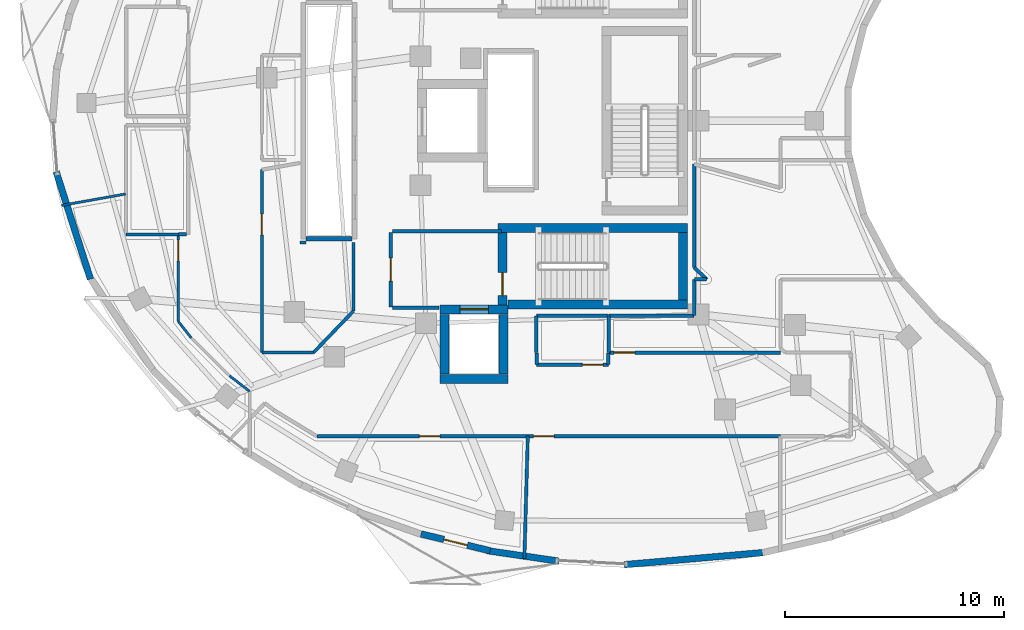
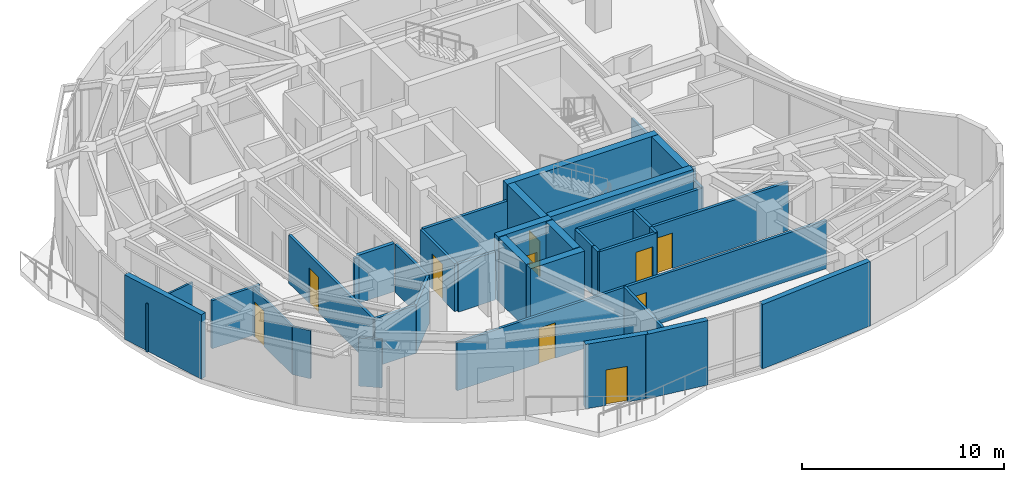
# One storey, part 7 of 14: 42 walls, 10 doors, 10 openings.
"""IFC4 building model written with IfcOpenShell, lengths in metres."""

import ifcopenshell
import ifcopenshell.guid

model = None  # the IFC model being written
_history = None  # IfcOwnerHistory: only IFC2X3 demands one
_inside = {}  # id of a spatial element -> (the spatial element, [elements in it])
_under = {}  # id of a project, library or spatial element -> (it, [spatial elements below it])
_declared = {}  # id of a project -> (the project, [libraries it declares])
_typed = {}  # id of a type object -> (the type object, [elements of that type])
_made_of = {}  # id of a material, layer set ... -> (it, [elements and type objects made of it])


def new_model(schema):
    """Start an empty IFC model of exactly this schema.

    Asked for "IFC4X3", IfcOpenShell would pick the latest addendum, in which some entities
    have other attributes; the version numbers below select the first issue.
    IFC2X3 requires an IfcOwnerHistory on every rooted entity: one is made here for all.
    """
    global model, _history
    if schema == "IFC4X3":
        model = ifcopenshell.file(schema_version=(4, 3, 0, 0))
    else:
        model = ifcopenshell.file(schema=schema)
    _inside.clear()
    _under.clear()
    _declared.clear()
    _typed.clear()
    _made_of.clear()
    _history = None
    if model.schema == "IFC2X3":
        org = make("IfcOrganization", Name="unknown")
        user = make(
            "IfcPersonAndOrganization",
            ThePerson=make("IfcPerson", FamilyName="unknown"),
            TheOrganization=org,
        )
        app = make(
            "IfcApplication",
            ApplicationDeveloper=org,
            Version="unknown",
            ApplicationFullName="unknown",
            ApplicationIdentifier="unknown",
        )
        _history = make(
            "IfcOwnerHistory",
            OwningUser=user,
            OwningApplication=app,
            ChangeAction="ADDED",
            CreationDate=0,
        )
    return model


def make(cls, **values):
    """One entity of the class cls with the attributes given. An attribute that is None is left unset."""
    return model.create_entity(
        cls, **{name: value for name, value in values.items() if value is not None}
    )


def rooted(cls, **values):
    """An entity with a GlobalId (a new one), such as an element, a storey or a relation."""
    return make(cls, GlobalId=ifcopenshell.guid.new(), OwnerHistory=_history, **values)


def si_unit(unit_type, name, prefix=None):
    """IfcSIUnit, for example si_unit("LENGTHUNIT", "METRE", prefix="MILLI")."""
    return make("IfcSIUnit", UnitType=unit_type, Prefix=prefix, Name=name)


def assignment(units):
    """IfcUnitAssignment: the units of a project."""
    return None if units is None else make("IfcUnitAssignment", Units=units)


def point(xyz):
    """IfcCartesianPoint."""
    return None if xyz is None else make("IfcCartesianPoint", Coordinates=xyz)


def direction(xyz):
    """IfcDirection."""
    return None if xyz is None else make("IfcDirection", DirectionRatios=xyz)


def frame(location, z_axis=None, x_axis=None):
    """IfcAxis2Placement3D, a coordinate frame: its origin and axes. An axis left out is left unset."""
    return make(
        "IfcAxis2Placement3D",
        Location=point(location),
        Axis=direction(z_axis),
        RefDirection=direction(x_axis),
    )


def frame_2d(location, x_axis=None):
    """IfcAxis2Placement2D, a coordinate frame in the plane: its origin and x axis."""
    return make(
        "IfcAxis2Placement2D", Location=point(location), RefDirection=direction(x_axis)
    )


def origin():
    """The frame at (0, 0, 0) with its axes left unset."""
    return frame((0.0, 0.0, 0.0))


def place(relative_to, where):
    """IfcLocalPlacement: puts the frame where relative to a parent placement (None: the world)."""
    return make(
        "IfcLocalPlacement", PlacementRelTo=relative_to, RelativePlacement=where
    )


def context(
    kind, dimensions, precision=None, world=None, true_north=None, identifier=None
):
    """IfcGeometricRepresentationContext, for example the 3D "Model" context."""
    return make(
        "IfcGeometricRepresentationContext",
        ContextIdentifier=identifier,
        ContextType=kind,
        CoordinateSpaceDimension=dimensions,
        Precision=precision,
        WorldCoordinateSystem=world,
        TrueNorth=true_north,
    )


def subcontext(parent, identifier, kind, view, scale=None):
    """IfcGeometricRepresentationSubContext, for example "Body" below "Model"."""
    return make(
        "IfcGeometricRepresentationSubContext",
        ContextIdentifier=identifier,
        ContextType=kind,
        ParentContext=parent,
        TargetScale=scale,
        TargetView=view,
    )


def project(units=None, contexts=None):
    """IfcProject with its units and contexts."""
    return rooted(
        "IfcProject",
        Name="project",
        RepresentationContexts=contexts,
        UnitsInContext=assignment(units),
    )


def spatial(cls, under=None, at=None, **own):
    """A site, building, storey or space (cls), placed at a placement, below another one or the project."""
    s = rooted(cls, ObjectPlacement=at, **own)
    if under is not None:
        _under.setdefault(under.id(), (under, []))[1].append(s)
    return s


def profile(cls, at=None, kind="AREA", **sizes):
    """A parametric profile (cls). Its sizes go by their IFC names, for example OverallWidth=200.0."""
    return make(cls, ProfileType=kind, Position=at, **sizes)


def rectangle(**sizes):
    """IfcRectangleProfileDef."""
    return profile("IfcRectangleProfileDef", **sizes)


def extrude(swept, where, along, depth):
    """IfcExtrudedAreaSolid: the profile swept, set in the frame where, extruded along a direction by depth."""
    return make(
        "IfcExtrudedAreaSolid",
        SweptArea=swept,
        Position=where,
        ExtrudedDirection=direction(along),
        Depth=depth,
    )


def shape(context_of_items, identifier, shape_type, items):
    """IfcShapeRepresentation: the items that make up one representation, for example the "Body"."""
    return make(
        "IfcShapeRepresentation",
        ContextOfItems=context_of_items,
        RepresentationIdentifier=identifier,
        RepresentationType=shape_type,
        Items=items,
    )


def material(Name=None, Category=None):
    """IfcMaterial."""
    return make("IfcMaterial", Name=Name, Category=Category)


def layer(
    of_material, thickness, ventilated=None, Name=None, Category=None, Priority=None
):
    """IfcMaterialLayer: one layer of a wall or slab, of a material (None: an air gap)."""
    return make(
        "IfcMaterialLayer",
        Material=of_material,
        LayerThickness=thickness,
        IsVentilated=ventilated,
        Name=Name,
        Category=Category,
        Priority=Priority,
    )


def layer_set(layers, Name=None):
    """IfcMaterialLayerSet."""
    return make("IfcMaterialLayerSet", MaterialLayers=layers, LayerSetName=Name)


def made_of(thing, what):
    """Note that an element or type object is made of a material, layer set ...; save() writes the relation."""
    if what is not None:
        _made_of.setdefault(what.id(), (what, []))[1].append(thing)
    return thing


def type_object(cls, material=None, **own):
    """A type object (cls), such as IfcWallType, which elements share."""
    return made_of(rooted(cls, **own), material)


def element(
    cls,
    number,
    at=None,
    inside=None,
    cuts=None,
    type_object=None,
    material=None,
    context=None,
    identifier="Body",
    shape_type=None,
    held_by="IfcProductDefinitionShape",
    body=None,
    shapes=None,
    **own,
):
    """One element of the class cls, such as IfcWall. Its Tag is "e" and its number.

    at: its placement. inside: the storey or other place that contains it. cuts: it is an
    opening in that element (IfcRelVoidsElement). A single representation is given by context,
    identifier, shape_type and body (its items); several are given by shapes. held_by: the class
    of the entity that holds the representations. save() writes the other relations.
    """
    e = rooted(cls, Tag="e%d" % number, ObjectPlacement=at, **own)
    if body is not None:
        shapes = [shape(context, identifier, shape_type, body)]
    if shapes is not None:
        e.Representation = make(held_by, Representations=shapes)
    if inside is not None:
        _inside.setdefault(inside.id(), (inside, []))[1].append(e)
    if cuts is not None:
        rooted(
            "IfcRelVoidsElement", RelatingBuildingElement=cuts, RelatedOpeningElement=e
        )
    if type_object is not None:
        _typed.setdefault(type_object.id(), (type_object, []))[1].append(e)
    return made_of(e, material)


def fill(opening, filler):
    """IfcRelFillsElement: the door or window that sits in an opening."""
    return rooted(
        "IfcRelFillsElement",
        RelatingOpeningElement=opening,
        RelatedBuildingElement=filler,
    )


def aggregate(whole, parts):
    """IfcRelAggregates: a whole, such as a stair, and the parts it consists of."""
    return rooted("IfcRelAggregates", RelatingObject=whole, RelatedObjects=parts)


def save(model, path):
    """Write the relations noted so far, then the file.

    IfcRelAggregates (storeys below a building ...), IfcRelContainedInSpatialStructure (elements
    in a storey), IfcRelDefinesByType, IfcRelAssociatesMaterial and IfcRelDeclares: one each for
    every whole, place, type object, material and project.
    """
    for whole, parts in _under.values():
        aggregate(whole, parts)
    for where, things in _inside.values():
        rooted(
            "IfcRelContainedInSpatialStructure",
            RelatedElements=things,
            RelatingStructure=where,
        )
    for kind, things in _typed.values():
        rooted("IfcRelDefinesByType", RelatedObjects=things, RelatingType=kind)
    for what, things in _made_of.values():
        rooted("IfcRelAssociatesMaterial", RelatedObjects=things, RelatingMaterial=what)
    for by, libraries in _declared.values():
        rooted("IfcRelDeclares", RelatingContext=by, RelatedDefinitions=libraries)
    model.write(path)


model = new_model("IFC4")

# Units and contexts
model_context = context("Model", 3, precision=1e-05, world=origin(), true_north=direction((0.0, 1.0)))
body_context = subcontext(model_context, "Body", "Model", "MODEL_VIEW")
ifc_project = project(units=[si_unit("LENGTHUNIT", "METRE"), si_unit("AREAUNIT", "SQUARE_METRE"), si_unit("VOLUMEUNIT", "CUBIC_METRE"), si_unit("PLANEANGLEUNIT", "RADIAN"), si_unit("MASSUNIT", "GRAM", prefix="KILO")], contexts=[model_context])

# Site, building, storey
site_placement = place(None, origin())
site = spatial("IfcSite", under=ifc_project, at=site_placement, CompositionType="ELEMENT")
building_placement = place(site_placement, origin())
building = spatial("IfcBuilding", under=site, at=building_placement, Name="Korentha Bioscience Tower", CompositionType="ELEMENT")
storey_placement = place(building_placement, frame((0.0, 0.0, 264.60009765625)))
storey = spatial("IfcBuildingStorey", under=building, at=storey_placement, Name="L61", CompositionType="ELEMENT", Elevation=264.60009765625)

# Wall, opening, door
ifc_material_1 = material(Name="Double-Stud Acoustic Gypsum", Category="gypsum")
ifc_layer_1 = layer(ifc_material_1, 0.14990234375, Name="Double-Stud Acoustic Gypsum")
ifc_layer_set_1 = layer_set([ifc_layer_1], Name="Double-Stud Acoustic Gypsum (IW-L150)")
wall_type_1 = type_object("IfcWallType", Name="Acoustic Laboratory Partition Wall 150", PredefinedType="PARTITIONING", material=ifc_layer_set_1)
wall_1_placement = place(storey_placement, frame((17.610107421875, 16.409912109375, 0.0), z_axis=(0.0, 0.0, 1.0), x_axis=(0.0, 1.0, 0.0)))
wall_1 = element("IfcWall", 1, at=wall_1_placement, inside=storey, type_object=wall_type_1, Name="L61 Research Colloquium Seminar Room 02 Entrance Wall", PredefinedType="PARTITIONING", context=body_context, shape_type="SweptSolid", body=[
    extrude(rectangle(XDim=8.352783203125, YDim=0.14990234375, at=frame_2d((4.17626953125, 0.0))), origin(), (0.0, 0.0, 1.0), 2.909912109375),
])
opening_1_placement = place(wall_1_placement, frame((5.371337890625, 0.0, 0.0)))
opening_1 = element("IfcOpeningElement", 2, at=opening_1_placement, cuts=wall_1, Name="Opening ID-10L", PredefinedType="OPENING", context=body_context, shape_type="SweptSolid", body=[
    extrude(rectangle(XDim=0.949951171875, YDim=2.14990234375, at=frame_2d((0.47509765625, 1.074951171875))), frame((0.0, 0.08984375, 0.0), z_axis=(0.0, -1.0, 0.0), x_axis=(1.0, 0.0, 0.0)), (0.0, 0.0, 1.0), 0.1796875),
])
ifc_material_2 = material(Name="Phenolic Laminate Timber Core", Category="wood")
door_type_1 = type_object("IfcDoorType", Name="Laboratory Single Leaf Door 950x2150 Left", OperationType="SINGLE_SWING_LEFT", PredefinedType="DOOR", material=ifc_material_2)
door_1_placement = place(opening_1_placement, origin())
door_1 = element("IfcDoor", 3, at=door_1_placement, inside=storey, type_object=door_type_1, Name="L61 Research Colloquium Seminar Room 02 Door", OperationType="SINGLE_SWING_LEFT", OverallHeight=2.14990234375, OverallWidth=0.949951171875, PredefinedType="DOOR", context=body_context, shape_type="SweptSolid", body=[
    extrude(rectangle(XDim=0.949951171875, YDim=2.14990234375, at=frame_2d((0.47509765625, 1.074951171875))), frame((0.0, 0.02490234375, 0.0), z_axis=(0.0, -1.0, 0.0), x_axis=(1.0, 0.0, 0.0)), (0.0, 0.0, 1.0), 0.050048828125),
])
fill(opening_1, door_1)

wall_2_placement = place(storey_placement, frame((20.114013671875, 12.590087890625, 0.0), z_axis=(0.0, 0.0, 1.0), x_axis=(1.0, 0.0, 0.0)))
wall_2 = element("IfcWall", 4, at=wall_2_placement, inside=storey, type_object=wall_type_1, Name="L61 Staff Pantry Kitchenette 03 Entrance Wall", PredefinedType="PARTITIONING", context=body_context, shape_type="SweptSolid", body=[
    extrude(rectangle(XDim=9.640869140625, YDim=0.14990234375, at=frame_2d((4.8203125, 0.0))), origin(), (0.0, 0.0, 1.0), 2.909912109375),
])
opening_2_placement = place(wall_2_placement, frame((4.689453125, 0.0, 0.0)))
opening_2 = element("IfcOpeningElement", 5, at=opening_2_placement, cuts=wall_2, Name="Opening ID-10R", PredefinedType="OPENING", context=body_context, shape_type="SweptSolid", body=[
    extrude(rectangle(XDim=0.949951171875, YDim=2.14990234375, at=frame_2d((0.47509765625, 1.074951171875))), frame((0.0, 0.08984375, 0.0), z_axis=(0.0, -1.0, 0.0), x_axis=(1.0, 0.0, 0.0)), (0.0, 0.0, 1.0), 0.1796875),
])
door_type_2 = type_object("IfcDoorType", Name="Laboratory Single Leaf Door 950x2150 Right", OperationType="SINGLE_SWING_RIGHT", PredefinedType="DOOR", material=ifc_material_2)
door_2_placement = place(opening_2_placement, origin())
door_2 = element("IfcDoor", 6, at=door_2_placement, inside=storey, type_object=door_type_2, Name="L61 Staff Pantry Kitchenette 03 Door", OperationType="SINGLE_SWING_RIGHT", OverallHeight=2.14990234375, OverallWidth=0.949951171875, PredefinedType="DOOR", context=body_context, shape_type="SweptSolid", body=[
    extrude(rectangle(XDim=0.949951171875, YDim=2.14990234375, at=frame_2d((0.47509765625, 1.074951171875))), frame((0.0, 0.02490234375, 0.0), z_axis=(0.0, -1.0, 0.0), x_axis=(1.0, 0.0, 0.0)), (0.0, 0.0, 1.0), 0.050048828125),
])
fill(opening_2, door_2)

# Walls
wall_3_placement = place(storey_placement, frame((14.162109375, 21.81005859375, 0.0), z_axis=(0.0, 0.0, 1.0), x_axis=(-1.0, 0.0, 0.0)))
element("IfcWall", 7, at=wall_3_placement, inside=storey, type_object=wall_type_1, Name="L61 Interior Partition 023", PredefinedType="PARTITIONING", context=body_context, shape_type="SweptSolid", body=[
    extrude(rectangle(XDim=0.362060546875, YDim=0.14990234375, at=frame_2d((0.18115234375, 0.0))), origin(), (0.0, 0.0, 1.0), 2.909912109375),
])
wall_4_placement = place(storey_placement, frame((13.7900390625, 21.800048828125, 0.0), z_axis=(0.0, 0.0, 1.0), x_axis=(-1.0, 0.0, 0.0)))
element("IfcWall", 8, at=wall_4_placement, inside=storey, type_object=wall_type_1, Name="L61 Interior Partition 024", PredefinedType="PARTITIONING", context=body_context, shape_type="SweptSolid", body=[
    extrude(rectangle(XDim=2.39013671875, YDim=0.14990234375, at=frame_2d((1.195068359375, 0.0))), origin(), (0.0, 0.0, 1.0), 2.909912109375),
])
wall_5_placement = place(storey_placement, frame((19.35009765625, 21.43994140625, 0.0), z_axis=(0.0, 0.0, 1.0), x_axis=(1.0, 0.0, 0.0)))
element("IfcWall", 9, at=wall_5_placement, inside=storey, type_object=wall_type_1, Name="L61 Interior Partition 037", PredefinedType="PARTITIONING", context=body_context, shape_type="SweptSolid", body=[
    extrude(rectangle(XDim=0.27001953125, YDim=0.14990234375, at=frame_2d((0.135009765625, 0.0))), origin(), (0.0, 0.0, 1.0), 2.909912109375),
])
wall_6_placement = place(storey_placement, frame((21.7900390625, 21.43994140625, 0.0), z_axis=(0.0, 0.0, 1.0), x_axis=(0.0, -1.0, 0.0)))
element("IfcWall", 10, at=wall_6_placement, inside=storey, type_object=wall_type_1, Name="L61 Interior Partition 038", PredefinedType="PARTITIONING", context=body_context, shape_type="SweptSolid", body=[
    extrude(rectangle(XDim=3.13427734375, YDim=0.14990234375, at=frame_2d((1.567138671875, 0.0))), origin(), (0.0, 0.0, 1.0), 2.909912109375),
])
wall_7_placement = place(storey_placement, frame((21.7900390625, 18.3056640625, 0.0), z_axis=(0.0, 0.0, 1.0), x_axis=(-0.693381280986, -0.720570884215, 0.0)))
element("IfcWall", 11, at=wall_7_placement, inside=storey, type_object=wall_type_1, Name="L61 Interior Partition 039", PredefinedType="PARTITIONING", context=body_context, shape_type="SweptSolid", body=[
    extrude(rectangle(XDim=2.630859375, YDim=0.14990234375, at=frame_2d((1.3154296875, 0.0))), origin(), (0.0, 0.0, 1.0), 2.909912109375),
])
wall_8_placement = place(storey_placement, frame((19.9658203125, 16.409912109375, 0.0), z_axis=(0.0, 0.0, 1.0), x_axis=(-1.0, 0.0, 0.0)))
element("IfcWall", 12, at=wall_8_placement, inside=storey, type_object=wall_type_1, Name="L61 Interior Partition 040", PredefinedType="PARTITIONING", context=body_context, shape_type="SweptSolid", body=[
    extrude(rectangle(XDim=2.355712890625, YDim=0.14990234375, at=frame_2d((1.177734375, 0.0))), origin(), (0.0, 0.0, 1.0), 2.909912109375),
])
wall_9_placement = place(storey_placement, frame((29.7548828125, 12.590087890625, 0.0), z_axis=(0.0, 0.0, 1.0), x_axis=(-0.02789409051, -0.999610884152, 0.0)))
element("IfcWall", 13, at=wall_9_placement, inside=storey, type_object=wall_type_1, Name="L61 Interior Partition 046", PredefinedType="PARTITIONING", context=body_context, shape_type="SweptSolid", body=[
    extrude(rectangle(XDim=5.6015625, YDim=0.14990234375, at=frame_2d((2.80078125, 0.0))), origin(), (0.0, 0.0, 1.0), 2.909912109375),
])

# Wall, opening, door
ifc_material_3 = material(Name="Fire-Rated Framed Glass", Category="glass")
ifc_layer_2 = layer(ifc_material_3, 0.110107421875, Name="Fire-Rated Framed Glass")
ifc_layer_set_2 = layer_set([ifc_layer_2], Name="Fire-Rated Framed Glass (IW-G110)")
wall_type_2 = type_object("IfcWallType", Name="Demountable Glazed Office Partition 110", PredefinedType="MOVABLE", material=ifc_layer_set_2)
wall_10_placement = place(storey_placement, frame((13.7900390625, 21.7900390625, 0.0), z_axis=(0.0, 0.0, 1.0), x_axis=(0.0, -1.0, 0.0)))
wall_10 = element("IfcWall", 14, at=wall_10_placement, inside=storey, type_object=wall_type_2, Name="L61 Principal Investigator Office 01 Entrance Wall", PredefinedType="MOVABLE", context=body_context, shape_type="SweptSolid", body=[
    extrude(rectangle(XDim=3.954833984375, YDim=0.110107421875, at=frame_2d((1.9775390625, 0.0))), origin(), (0.0, 0.0, 1.0), 2.909912109375),
])
opening_3_placement = place(wall_10_placement, frame((0.239990234375, 0.0, 0.0)))
opening_3 = element("IfcOpeningElement", 15, at=opening_3_placement, cuts=wall_10, Name="Opening ID-10R", PredefinedType="OPENING", context=body_context, shape_type="SweptSolid", body=[
    extrude(rectangle(XDim=0.949951171875, YDim=2.14990234375, at=frame_2d((0.47509765625, 1.074951171875))), frame((0.0, 0.06982421875, 0.0), z_axis=(0.0, -1.0, 0.0), x_axis=(1.0, 0.0, 0.0)), (0.0, 0.0, 1.0), 0.139892578125),
])
door_3_placement = place(opening_3_placement, origin())
door_3 = element("IfcDoor", 16, at=door_3_placement, inside=storey, type_object=door_type_2, Name="L61 Principal Investigator Office 01 Door", OperationType="SINGLE_SWING_RIGHT", OverallHeight=2.14990234375, OverallWidth=0.949951171875, PredefinedType="DOOR", context=body_context, shape_type="SweptSolid", body=[
    extrude(rectangle(XDim=0.949951171875, YDim=2.14990234375, at=frame_2d((0.47509765625, 1.074951171875))), frame((0.0, 0.02490234375, 0.0), z_axis=(0.0, -1.0, 0.0), x_axis=(1.0, 0.0, 0.0)), (0.0, 0.0, 1.0), 0.050048828125),
])
fill(opening_3, door_3)

# Walls
wall_11_placement = place(storey_placement, frame((8.458251953125, 23.13232421875, 0.0), z_axis=(0.0, 0.0, 1.0), x_axis=(0.984502480413, 0.175370653365, 0.0)))
element("IfcWall", 17, at=wall_11_placement, inside=storey, type_object=wall_type_2, Name="L61 Interior Partition 031", PredefinedType="MOVABLE", context=body_context, shape_type="SweptSolid", body=[
    extrude(rectangle(XDim=2.977783203125, YDim=0.110107421875, at=frame_2d((1.48876953125, 0.0))), origin(), (0.0, 0.0, 1.0), 2.909912109375),
])
wall_12_placement = place(storey_placement, frame((13.7919921875, 17.8291015625, 0.0), z_axis=(0.0, 0.0, 1.0), x_axis=(0.615841557122, -0.787870025145, 0.0)))
element("IfcWall", 18, at=wall_12_placement, inside=storey, type_object=wall_type_2, Name="L61 Interior Partition 032", PredefinedType="MOVABLE", context=body_context, shape_type="SweptSolid", body=[
    extrude(rectangle(XDim=0.95947265625, YDim=0.110107421875, at=frame_2d((0.479736328125, 0.0))), origin(), (0.0, 0.0, 1.0), 2.909912109375),
])
wall_13_placement = place(storey_placement, frame((16.128173828125, 15.348876953125, 0.0), z_axis=(0.0, 0.0, 1.0), x_axis=(0.790536936783, -0.612414362651, 0.0)))
element("IfcWall", 19, at=wall_13_placement, inside=storey, type_object=wall_type_2, Name="L61 Interior Partition 034", PredefinedType="MOVABLE", context=body_context, shape_type="SweptSolid", body=[
    extrude(rectangle(XDim=1.16357421875, YDim=0.110107421875, at=frame_2d((0.581787109375, 0.0))), origin(), (0.0, 0.0, 1.0), 2.909912109375),
])

# Wall, opening, door
ifc_material_4 = material(Name="Gypsum-Clad Steel Stud", Category="steel")
ifc_layer_3 = layer(ifc_material_4, 0.159912109375, Name="Gypsum-Clad Steel Stud")
ifc_layer_set_3 = layer_set([ifc_layer_3], Name="Gypsum-Clad Steel Stud (IW-C160)")
wall_type_3 = type_object("IfcWallType", Name="Fire-Rated Corridor Partition Wall 160", PredefinedType="PARTITIONING", material=ifc_layer_set_3)
wall_14_placement = place(storey_placement, frame((23.5, 18.5, 0.0), z_axis=(0.0, 0.0, 1.0), x_axis=(0.0, 1.0, 0.0)))
wall_14 = element("IfcWall", 20, at=wall_14_placement, inside=storey, type_object=wall_type_3, Name="L61 FFLS-CW Rated Enclosure Wall", PredefinedType="PARTITIONING", context=body_context, shape_type="SweptSolid", body=[
    extrude(rectangle(XDim=3.39990234375, YDim=0.159912109375, at=frame_2d((1.699951171875, 0.0))), origin(), (0.0, 0.0, 1.0), 2.909912109375),
])
opening_4_placement = place(wall_14_placement, frame((1.175048828125, 0.0, 0.0)))
opening_4 = element("IfcOpeningElement", 21, at=opening_4_placement, cuts=wall_14, Name="Opening FD-90R", PredefinedType="OPENING", context=body_context, shape_type="SweptSolid", body=[
    extrude(rectangle(XDim=1.050048828125, YDim=2.14990234375, at=frame_2d((0.52490234375, 1.074951171875))), frame((0.0, 0.0947265625, 0.0), z_axis=(0.0, -1.0, 0.0), x_axis=(1.0, 0.0, 0.0)), (0.0, 0.0, 1.0), 0.189697265625),
])
ifc_material_5 = material(Name="Powder-Coated Fire-Rated Steel", Category="steel")
door_type_3 = type_object("IfcDoorType", Name="Stairwell Fire Exit Door 1050x2150 Right", OperationType="SINGLE_SWING_RIGHT", PredefinedType="DOOR", material=ifc_material_5)
door_4_placement = place(opening_4_placement, origin())
door_4 = element("IfcDoor", 22, at=door_4_placement, inside=storey, type_object=door_type_3, Name="L61 South Firefighting Lobby Door", OperationType="SINGLE_SWING_RIGHT", OverallHeight=2.14990234375, OverallWidth=1.050048828125, PredefinedType="DOOR", context=body_context, shape_type="SweptSolid", body=[
    extrude(rectangle(XDim=1.050048828125, YDim=2.14990234375, at=frame_2d((0.52490234375, 1.074951171875))), frame((0.0, 0.02490234375, 0.0), z_axis=(0.0, -1.0, 0.0), x_axis=(1.0, 0.0, 0.0)), (0.0, 0.0, 1.0), 0.050048828125),
])
fill(opening_4, door_4)

# Walls
wall_15_placement = place(storey_placement, frame((23.580078125, 21.949951171875, 0.0), z_axis=(0.0, 0.0, 1.0), x_axis=(1.0, 0.0, 0.0)))
element("IfcWall", 23, at=wall_15_placement, inside=storey, type_object=wall_type_3, Name="L61 Firefighting Lobby Return Wall FFLS-N", PredefinedType="PARTITIONING", context=body_context, shape_type="SweptSolid", body=[
    extrude(rectangle(XDim=4.969970703125, YDim=0.159912109375, at=frame_2d((2.48486328125, 0.0))), origin(), (0.0, 0.0, 1.0), 2.909912109375),
])
wall_16_placement = place(storey_placement, frame((23.580078125, 18.449951171875, 0.0), z_axis=(0.0, 0.0, 1.0), x_axis=(1.0, 0.0, 0.0)))
element("IfcWall", 24, at=wall_16_placement, inside=storey, type_object=wall_type_3, Name="L61 Firefighting Lobby Return Wall FFLS-S", PredefinedType="PARTITIONING", context=body_context, shape_type="SweptSolid", body=[
    extrude(rectangle(XDim=2.119873046875, YDim=0.159912109375, at=frame_2d((1.06005859375, 0.0))), origin(), (0.0, 0.0, 1.0), 2.909912109375),
])

# Wall, opening, door
wall_17_placement = place(storey_placement, frame((33.43994140625, 15.860107421875, 0.0), z_axis=(0.0, 0.0, 1.0), x_axis=(-1.0, 0.0, 0.0)))
wall_17 = element("IfcWall", 25, at=wall_17_placement, inside=storey, type_object=wall_type_3, Name="L61 Core Instrumentation and Gas Store Entrance Wall", PredefinedType="PARTITIONING", context=body_context, shape_type="SweptSolid", body=[
    extrude(rectangle(XDim=3.280029296875, YDim=0.159912109375, at=frame_2d((1.64013671875, 0.0))), origin(), (0.0, 0.0, 1.0), 2.909912109375),
])
opening_5_placement = place(wall_17_placement, frame((0.239990234375, 0.0, 0.0)))
opening_5 = element("IfcOpeningElement", 26, at=opening_5_placement, cuts=wall_17, Name="Opening ID-10R", PredefinedType="OPENING", context=body_context, shape_type="SweptSolid", body=[
    extrude(rectangle(XDim=0.949951171875, YDim=2.14990234375, at=frame_2d((0.47509765625, 1.074951171875))), frame((0.0, 0.0947265625, 0.0), z_axis=(0.0, -1.0, 0.0), x_axis=(1.0, 0.0, 0.0)), (0.0, 0.0, 1.0), 0.189697265625),
])
door_5_placement = place(opening_5_placement, origin())
door_5 = element("IfcDoor", 27, at=door_5_placement, inside=storey, type_object=door_type_2, Name="L61 Core Instrumentation and Gas Store Door", OperationType="SINGLE_SWING_RIGHT", OverallHeight=2.14990234375, OverallWidth=0.949951171875, PredefinedType="DOOR", context=body_context, shape_type="SweptSolid", body=[
    extrude(rectangle(XDim=0.949951171875, YDim=2.14990234375, at=frame_2d((0.47509765625, 1.074951171875))), frame((0.0, 0.02490234375, 0.0), z_axis=(0.0, -1.0, 0.0), x_axis=(1.0, 0.0, 0.0)), (0.0, 0.0, 1.0), 0.050048828125),
])
fill(opening_5, door_5)

wall_18_placement = place(storey_placement, frame((29.764892578125, 12.590087890625, 0.0), z_axis=(0.0, 0.0, 1.0), x_axis=(1.0, 0.0, 0.0)))
wall_18 = element("IfcWall", 28, at=wall_18_placement, inside=storey, type_object=wall_type_3, Name="L61 Biospecimen Archive Store 04 Entrance Wall", PredefinedType="PARTITIONING", context=body_context, shape_type="SweptSolid", body=[
    extrude(rectangle(XDim=11.533203125, YDim=0.159912109375, at=frame_2d((5.7666015625, 0.0))), origin(), (0.0, 0.0, 1.0), 2.909912109375),
])
opening_6_placement = place(wall_18_placement, frame((0.239990234375, 0.0, 0.0)))
opening_6 = element("IfcOpeningElement", 29, at=opening_6_placement, cuts=wall_18, Name="Opening ID-10L", PredefinedType="OPENING", context=body_context, shape_type="SweptSolid", body=[
    extrude(rectangle(XDim=0.949951171875, YDim=2.14990234375, at=frame_2d((0.47509765625, 1.074951171875))), frame((0.0, 0.0947265625, 0.0), z_axis=(0.0, -1.0, 0.0), x_axis=(1.0, 0.0, 0.0)), (0.0, 0.0, 1.0), 0.189697265625),
])
door_6_placement = place(opening_6_placement, origin())
door_6 = element("IfcDoor", 30, at=door_6_placement, inside=storey, type_object=door_type_1, Name="L61 Biospecimen Archive Store 04 Door", OperationType="SINGLE_SWING_LEFT", OverallHeight=2.14990234375, OverallWidth=0.949951171875, PredefinedType="DOOR", context=body_context, shape_type="SweptSolid", body=[
    extrude(rectangle(XDim=0.949951171875, YDim=2.14990234375, at=frame_2d((0.47509765625, 1.074951171875))), frame((0.0, 0.02490234375, 0.0), z_axis=(0.0, -1.0, 0.0), x_axis=(1.0, 0.0, 0.0)), (0.0, 0.0, 1.0), 0.050048828125),
])
fill(opening_6, door_6)

wall_19_placement = place(storey_placement, frame((41.298095703125, 16.409912109375, 0.0), z_axis=(0.0, 0.0, 1.0), x_axis=(-1.0, 0.0, 0.0)))
wall_19 = element("IfcWall", 31, at=wall_19_placement, inside=storey, type_object=wall_type_3, Name="L61 Solvent and Chemical Weighing Room 07 Entrance Wall", PredefinedType="PARTITIONING", context=body_context, shape_type="SweptSolid", body=[
    extrude(rectangle(XDim=7.838134765625, YDim=0.159912109375, at=frame_2d((3.9189453125, 0.0))), origin(), (0.0, 0.0, 1.0), 2.909912109375),
])
opening_7_placement = place(wall_19_placement, frame((6.64794921875, 0.0, 0.0)))
opening_7 = element("IfcOpeningElement", 32, at=opening_7_placement, cuts=wall_19, Name="Opening ID-10R", PredefinedType="OPENING", context=body_context, shape_type="SweptSolid", body=[
    extrude(rectangle(XDim=0.949951171875, YDim=2.14990234375, at=frame_2d((0.47509765625, 1.074951171875))), frame((0.0, 0.0947265625, 0.0), z_axis=(0.0, -1.0, 0.0), x_axis=(1.0, 0.0, 0.0)), (0.0, 0.0, 1.0), 0.189697265625),
])
door_7_placement = place(opening_7_placement, origin())
door_7 = element("IfcDoor", 33, at=door_7_placement, inside=storey, type_object=door_type_2, Name="L61 Solvent and Chemical Weighing Room 07 Door", OperationType="SINGLE_SWING_RIGHT", OverallHeight=2.14990234375, OverallWidth=0.949951171875, PredefinedType="DOOR", context=body_context, shape_type="SweptSolid", body=[
    extrude(rectangle(XDim=0.949951171875, YDim=2.14990234375, at=frame_2d((0.47509765625, 1.074951171875))), frame((0.0, 0.02490234375, 0.0), z_axis=(0.0, -1.0, 0.0), x_axis=(1.0, 0.0, 0.0)), (0.0, 0.0, 1.0), 0.050048828125),
])
fill(opening_7, door_7)

# Walls
for number, where, z_axis, x_axis, name in (
    (34, (33.43994140625, 16.39990234375, 0.0), (0.0, 0.0, 1.0), (0.0, -1.0, 0.0), "L61 Interior Partition 016"),
    (35, (30.159912109375, 15.860107421875, 0.0), (0.0, 0.0, 1.0), (0.0, 1.0, 0.0), "L61 Interior Partition 017"),
):
    element("IfcWall", number, at=place(storey_placement, frame(where, z_axis=z_axis, x_axis=x_axis)), inside=storey, type_object=wall_type_3, Name=name, PredefinedType="PARTITIONING", context=body_context, shape_type="SweptSolid", body=[
        extrude(rectangle(XDim=0.539794921875, YDim=0.159912109375, at=frame_2d((0.27001953125, 0.0))), origin(), (0.0, 0.0, 1.0), 2.909912109375),
    ])
wall_20_placement = place(storey_placement, frame((30.14990234375, 16.409912109375, 0.0), z_axis=(0.0, 0.0, 1.0), x_axis=(0.0, 1.0, 0.0)))
element("IfcWall", 36, at=wall_20_placement, inside=storey, type_object=wall_type_3, Name="L61 Interior Partition 018", PredefinedType="PARTITIONING", context=body_context, shape_type="SweptSolid", body=[
    extrude(rectangle(XDim=1.68017578125, YDim=0.159912109375, at=frame_2d((0.840087890625, 0.0))), origin(), (0.0, 0.0, 1.0), 2.909912109375),
])
wall_21_placement = place(storey_placement, frame((30.14990234375, 18.090087890625, 0.0), z_axis=(0.0, 0.0, 1.0), x_axis=(1.0, 0.0, 0.0)))
element("IfcWall", 37, at=wall_21_placement, inside=storey, type_object=wall_type_3, Name="L61 Interior Partition 019", PredefinedType="PARTITIONING", context=body_context, shape_type="SweptSolid", body=[
    extrude(rectangle(XDim=3.300048828125, YDim=0.159912109375, at=frame_2d((1.64990234375, 0.0))), origin(), (0.0, 0.0, 1.0), 2.909912109375),
])
wall_22_placement = place(storey_placement, frame((33.449951171875, 18.090087890625, 0.0), z_axis=(0.0, 0.0, 1.0), x_axis=(0.0, -1.0, 0.0)))
element("IfcWall", 38, at=wall_22_placement, inside=storey, type_object=wall_type_3, Name="L61 Interior Partition 020", PredefinedType="PARTITIONING", context=body_context, shape_type="SweptSolid", body=[
    extrude(rectangle(XDim=1.68017578125, YDim=0.159912109375, at=frame_2d((0.840087890625, 0.0))), origin(), (0.0, 0.0, 1.0), 2.909912109375),
])
wall_23_placement = place(storey_placement, frame((37.931884765625, 19.7548828125, 0.0), z_axis=(0.0, 0.0, 1.0), x_axis=(-0.731345965406, 0.682006656041, 0.0)))
element("IfcWall", 39, at=wall_23_placement, inside=storey, type_object=wall_type_3, Name="L61 Interior Partition 054", PredefinedType="PARTITIONING", context=body_context, shape_type="SweptSolid", body=[
    extrude(rectangle(XDim=0.78173828125, YDim=0.159912109375, at=frame_2d((0.390869140625, 0.0))), origin(), (0.0, 0.0, 1.0), 2.909912109375),
])
wall_24_placement = place(storey_placement, frame((37.360107421875, 20.2880859375, 0.0), z_axis=(0.0, 0.0, 1.0), x_axis=(0.0, 1.0, 0.0)))
element("IfcWall", 40, at=wall_24_placement, inside=storey, type_object=wall_type_3, Name="L61 Interior Partition 055", PredefinedType="PARTITIONING", context=body_context, shape_type="SweptSolid", body=[
    extrude(rectangle(XDim=4.7265625, YDim=0.159912109375, at=frame_2d((2.36328125, 0.0))), origin(), (0.0, 0.0, 1.0), 2.909912109375),
])
wall_25_placement = place(storey_placement, frame((33.4599609375, 18.090087890625, 0.0), z_axis=(0.0, 0.0, 1.0), x_axis=(1.0, 0.0, 0.0)))
element("IfcWall", 41, at=wall_25_placement, inside=storey, type_object=wall_type_3, Name="L61 Interior Partition 059", PredefinedType="PARTITIONING", context=body_context, shape_type="SweptSolid", body=[
    extrude(rectangle(XDim=3.89013671875, YDim=0.159912109375, at=frame_2d((1.945068359375, 0.0))), origin(), (0.0, 0.0, 1.0), 2.909912109375),
])
wall_26_placement = place(storey_placement, frame((37.360107421875, 18.10009765625, 0.0), z_axis=(0.0, 0.0, 1.0), x_axis=(0.0, 1.0, 0.0)))
element("IfcWall", 42, at=wall_26_placement, inside=storey, type_object=wall_type_3, Name="L61 Interior Partition 060", PredefinedType="PARTITIONING", context=body_context, shape_type="SweptSolid", body=[
    extrude(rectangle(XDim=1.64794921875, YDim=0.159912109375, at=frame_2d((0.823974609375, 0.0))), origin(), (0.0, 0.0, 1.0), 2.909912109375),
])
wall_27_placement = place(storey_placement, frame((37.360107421875, 19.748046875, 0.0), z_axis=(0.0, 0.0, 1.0), x_axis=(1.0, 0.0, 0.0)))
element("IfcWall", 43, at=wall_27_placement, inside=storey, type_object=wall_type_3, Name="L61 Interior Partition 061", PredefinedType="PARTITIONING", context=body_context, shape_type="SweptSolid", body=[
    extrude(rectangle(XDim=0.569091796875, YDim=0.159912109375, at=frame_2d((0.28466796875, 0.0))), origin(), (0.0, 0.0, 1.0), 2.909912109375),
])

# Wall, opening, door
ifc_material_6 = material(Name="Honed Limestone Precast Concrete C40", Category="masonry")
ifc_layer_4 = layer(ifc_material_6, 0.300048828125, Name="Honed Limestone Precast Concrete C40")
ifc_layer_set_4 = layer_set([ifc_layer_4], Name="Honed Limestone Precast Concrete C40 (EW-ST300)")
wall_type_4 = type_object("IfcWallType", Name="Honed Limestone Cavity Spandrel Wall 300", PredefinedType="STANDARD", material=ifc_layer_set_4)
wall_28_placement = place(storey_placement, frame((24.8779296875, 8.125732421875, 0.0), z_axis=(0.0, 0.0, 1.0), x_axis=(0.971310768778, -0.237813772636, 0.0)))
wall_28 = element("IfcWall", 44, at=wall_28_placement, inside=storey, type_object=wall_type_4, Name="L61 Balcony Threshold Wall 03", PredefinedType="STANDARD", context=body_context, shape_type="SweptSolid", body=[
    extrude(rectangle(XDim=3.250244140625, YDim=0.300048828125, at=frame_2d((1.625, 0.0))), origin(), (0.0, 0.0, 1.0), 3.89990234375),
])
opening_8_placement = place(wall_28_placement, frame((1.074951171875, 0.0, 0.0)))
opening_8 = element("IfcOpeningElement", 45, at=opening_8_placement, cuts=wall_28, Name="Opening BD-11L", PredefinedType="OPENING", context=body_context, shape_type="SweptSolid", body=[
    extrude(rectangle(XDim=1.10009765625, YDim=2.14990234375, at=frame_2d((0.550048828125, 1.074951171875))), frame((0.0, 0.1650390625, 0.0), z_axis=(0.0, -1.0, 0.0), x_axis=(1.0, 0.0, 0.0)), (0.0, 0.0, 1.0), 0.329833984375),
])
ifc_material_7 = material(Name="Thermally Broken Glazed Aluminium", Category="aluminium")
door_type_4 = type_object("IfcDoorType", Name="Balcony Terrace Glazed Door 1100x2150 Left", OperationType="SINGLE_SWING_LEFT", PredefinedType="DOOR", material=ifc_material_7)
door_8_placement = place(opening_8_placement, origin())
door_8 = element("IfcDoor", 46, at=door_8_placement, inside=storey, type_object=door_type_4, Name="L61 Balcony Access Door 03", OperationType="SINGLE_SWING_LEFT", OverallHeight=2.14990234375, OverallWidth=1.10009765625, PredefinedType="DOOR", context=body_context, shape_type="SweptSolid", body=[
    extrude(rectangle(XDim=1.10009765625, YDim=2.14990234375, at=frame_2d((0.550048828125, 1.074951171875))), frame((0.0, 0.02490234375, 0.0), z_axis=(0.0, -1.0, 0.0), x_axis=(1.0, 0.0, 0.0)), (0.0, 0.0, 1.0), 0.050048828125),
])
fill(opening_8, door_8)

# Walls
wall_29_placement = place(storey_placement, frame((8.209716796875, 24.67041015625, 0.0), z_axis=(0.0, 0.0, 1.0), x_axis=(0.303876387353, -0.952711467974, 0.0)))
element("IfcWall", 47, at=wall_29_placement, inside=storey, type_object=wall_type_4, Name="L61 Limestone Perimeter Closure Wall 20", PredefinedType="STANDARD", context=body_context, shape_type="SweptSolid", body=[
    extrude(rectangle(XDim=5.15234375, YDim=0.300048828125, at=frame_2d((2.576171875, 0.0))), origin(), (0.0, 0.0, 1.0), 3.89990234375),
])
wall_30_placement = place(storey_placement, frame((27.87939453125, 7.36181640625, 0.0), z_axis=(0.0, 0.0, 1.0), x_axis=(0.989457987501, -0.144820202219, 0.0)))
element("IfcWall", 48, at=wall_30_placement, inside=storey, type_object=wall_type_4, Name="L61 Limestone Perimeter Closure Wall 30", PredefinedType="STANDARD", context=body_context, shape_type="SweptSolid", body=[
    extrude(rectangle(XDim=3.327880859375, YDim=0.300048828125, at=frame_2d((1.6640625, 0.0))), origin(), (0.0, 0.0, 1.0), 3.89990234375),
])
wall_31_placement = place(storey_placement, frame((34.164306640625, 6.71923828125, 0.0), z_axis=(0.0, 0.0, 1.0), x_axis=(0.996250708408, 0.086513155053, 0.0)))
element("IfcWall", 49, at=wall_31_placement, inside=storey, type_object=wall_type_4, Name="L61 Limestone Perimeter Closure Wall 32", PredefinedType="STANDARD", context=body_context, shape_type="SweptSolid", body=[
    extrude(rectangle(XDim=6.51318359375, YDim=0.300048828125, at=frame_2d((3.256591796875, 0.0))), origin(), (0.0, 0.0, 1.0), 3.89990234375),
])
ifc_material_8 = material(Name="Autoclaved Aerated Concrete Block C25", Category="concrete")
ifc_layer_5 = layer(ifc_material_8, 0.199951171875, Name="Autoclaved Aerated Concrete Block C25")
ifc_layer_set_5 = layer_set([ifc_layer_5], Name="Autoclaved Aerated Concrete Block C25 (IW-S200)")
wall_type_5 = type_object("IfcWallType", Name="Lift and Riser Shaft Enclosure Wall 200", PredefinedType="PARTITIONING", material=ifc_layer_set_5)
wall_32_placement = place(storey_placement, frame((19.6201171875, 21.60009765625, 0.0), z_axis=(0.0, 0.0, 1.0), x_axis=(1.0, 0.0, 0.0)))
element("IfcWall", 50, at=wall_32_placement, inside=storey, type_object=wall_type_5, Name="L61 Lift Bank MID Shaft Wall -Y", PredefinedType="PARTITIONING", context=body_context, shape_type="SweptSolid", body=[
    extrude(rectangle(XDim=2.10986328125, YDim=0.199951171875, at=frame_2d((1.054931640625, 0.0))), origin(), (0.0, 0.0, 1.0), 2.909912109375),
])
ifc_material_9 = material(Name="Concrete C65", Category="concrete")
ifc_layer_6 = layer(ifc_material_9, 0.39990234375, Name="Concrete C65")
ifc_layer_set_6 = layer_set([ifc_layer_6], Name="Concrete C65 (CW-C65)")
wall_type_6 = type_object("IfcWallType", Name="Mid-Rise Core Shear Wall 400", PredefinedType="SHEAR", material=ifc_layer_set_6)
wall_33_placement = place(storey_placement, frame((28.85205078125, 18.60009765625, 0.0), z_axis=(0.0, 0.0, 1.0), x_axis=(1.0, 0.0, 0.0)))
element("IfcWall", 51, at=wall_33_placement, inside=storey, type_object=wall_type_6, Name="L61 Core Shear Wall ST2-S", PredefinedType="SHEAR", context=body_context, shape_type="SweptSolid", body=[
    extrude(rectangle(XDim=8.197998046875, YDim=0.39990234375, at=frame_2d((4.09912109375, 0.0))), origin(), (0.0, 0.0, 1.0), 3.89990234375),
])
wall_34_placement = place(storey_placement, frame((28.39990234375, 22.10009765625, 0.0), z_axis=(0.0, 0.0, 1.0), x_axis=(1.0, 0.0, 0.0)))
element("IfcWall", 52, at=wall_34_placement, inside=storey, type_object=wall_type_6, Name="L61 Core Shear Wall ST2-N", PredefinedType="SHEAR", context=body_context, shape_type="SweptSolid", body=[
    extrude(rectangle(XDim=8.650146484375, YDim=0.39990234375, at=frame_2d((4.3251953125, 0.0))), origin(), (0.0, 0.0, 1.0), 3.89990234375),
])
wall_35_placement = place(storey_placement, frame((36.85009765625, 18.81005859375, 0.0), z_axis=(0.0, 0.0, 1.0), x_axis=(0.0, 1.0, 0.0)))
element("IfcWall", 53, at=wall_35_placement, inside=storey, type_object=wall_type_6, Name="L61 Core Shear Wall ST2-E", PredefinedType="SHEAR", context=body_context, shape_type="SweptSolid", body=[
    extrude(rectangle(XDim=3.079833984375, YDim=0.39990234375, at=frame_2d((1.5400390625, 0.0))), origin(), (0.0, 0.0, 1.0), 3.89990234375),
])

# Wall, opening, door
wall_36_placement = place(storey_placement, frame((28.60009765625, 18.58203125, 0.0), z_axis=(0.0, 0.0, 1.0), x_axis=(0.0, 1.0, 0.0)))
wall_36 = element("IfcWall", 54, at=wall_36_placement, inside=storey, type_object=wall_type_6, Name="L61 Core Shear Wall ST2-W", PredefinedType="SHEAR", context=body_context, shape_type="SweptSolid", body=[
    extrude(rectangle(XDim=3.307861328125, YDim=0.39990234375, at=frame_2d((1.65380859375, 0.0))), origin(), (0.0, 0.0, 1.0), 3.89990234375),
])
opening_9_placement = place(wall_36_placement, frame((0.427978515625, 0.0, 0.0)))
opening_9 = element("IfcOpeningElement", 55, at=opening_9_placement, cuts=wall_36, Name="Opening FD-90R", PredefinedType="OPENING", context=body_context, shape_type="SweptSolid", body=[
    extrude(rectangle(XDim=1.050048828125, YDim=2.14990234375, at=frame_2d((0.52490234375, 1.074951171875))), frame((0.0, 0.21484375, 0.0), z_axis=(0.0, -1.0, 0.0), x_axis=(1.0, 0.0, 0.0)), (0.0, 0.0, 1.0), 0.4296875),
])
door_9_placement = place(opening_9_placement, origin())
door_9 = element("IfcDoor", 56, at=door_9_placement, inside=storey, type_object=door_type_3, Name="L61 ST-2 Fire Exit Stair Door", OperationType="SINGLE_SWING_RIGHT", OverallHeight=2.14990234375, OverallWidth=1.050048828125, PredefinedType="DOOR", context=body_context, shape_type="SweptSolid", body=[
    extrude(rectangle(XDim=1.050048828125, YDim=2.14990234375, at=frame_2d((0.52490234375, 1.074951171875))), frame((0.0, 0.02490234375, 0.0), z_axis=(0.0, -1.0, 0.0), x_axis=(1.0, 0.0, 0.0)), (0.0, 0.0, 1.0), 0.050048828125),
])
fill(opening_9, door_9)

# Wall
wall_37_placement = place(storey_placement, frame((25.75, 15.199951171875, 0.0), z_axis=(0.0, 0.0, 1.0), x_axis=(1.0, 0.0, 0.0)))
element("IfcWall", 57, at=wall_37_placement, inside=storey, type_object=wall_type_6, Name="L61 Core Shear Wall FFL1-S", PredefinedType="SHEAR", context=body_context, shape_type="SweptSolid", body=[
    extrude(rectangle(XDim=3.10009765625, YDim=0.39990234375, at=frame_2d((1.550048828125, 0.0))), origin(), (0.0, 0.0, 1.0), 3.89990234375),
])

# Wall, opening, door
wall_38_placement = place(storey_placement, frame((25.75, 18.3798828125, 0.0), z_axis=(0.0, 0.0, 1.0), x_axis=(1.0, 0.0, 0.0)))
wall_38 = element("IfcWall", 58, at=wall_38_placement, inside=storey, type_object=wall_type_6, Name="L61 Core Shear Wall FFL1-N", PredefinedType="SHEAR", context=body_context, shape_type="SweptSolid", body=[
    extrude(rectangle(XDim=3.10009765625, YDim=0.39990234375, at=frame_2d((1.550048828125, 0.0))), origin(), (0.0, 0.0, 1.0), 3.89990234375),
])
opening_10_placement = place(wall_38_placement, frame((0.89990234375, 0.0, 0.0)))
opening_10 = element("IfcOpeningElement", 59, at=opening_10_placement, cuts=wall_38, Name="Opening LD-13", PredefinedType="OPENING", context=body_context, shape_type="SweptSolid", body=[
    extrude(rectangle(XDim=1.300048828125, YDim=2.199951171875, at=frame_2d((0.64990234375, 1.10009765625))), frame((0.0, 0.21484375, 0.0), z_axis=(0.0, -1.0, 0.0), x_axis=(1.0, 0.0, 0.0)), (0.0, 0.0, 1.0), 0.4296875),
])
ifc_material_10 = material(Name="Brushed Stainless Steel 316", Category="steel")
door_type_5 = type_object("IfcDoorType", Name="Service & Firefighting Lift Landing Door 1300x2300", OperationType="DOUBLE_DOOR_SLIDING", PredefinedType="DOOR", material=ifc_material_10)
door_10_placement = place(opening_10_placement, origin())
door_10 = element("IfcDoor", 60, at=door_10_placement, inside=storey, type_object=door_type_5, Name="L61 FFL-1 Sliding Lift Landing Door", OperationType="DOUBLE_DOOR_SLIDING", OverallHeight=2.199951171875, OverallWidth=1.300048828125, PredefinedType="DOOR", context=body_context, shape_type="SweptSolid", body=[
    extrude(rectangle(XDim=1.300048828125, YDim=2.199951171875, at=frame_2d((0.64990234375, 1.10009765625))), frame((0.0, 0.02490234375, 0.0), z_axis=(0.0, -1.0, 0.0), x_axis=(1.0, 0.0, 0.0)), (0.0, 0.0, 1.0), 0.050048828125),
])
fill(opening_10, door_10)

# Walls
for number, where, z_axis, x_axis, name in (
    (61, (25.949951171875, 15.43994140625, 0.0), (0.0, 0.0, 1.0), (0.0, 1.0, 0.0), "L61 Core Shear Wall FFL1-W"),
    (62, (28.64990234375, 15.43994140625, 0.0), (0.0, 0.0, 1.0), (0.0, 1.0, 0.0), "L61 Core Shear Wall FFL1-E"),
):
    element("IfcWall", number, at=place(storey_placement, frame(where, z_axis=z_axis, x_axis=x_axis)), inside=storey, type_object=wall_type_6, Name=name, PredefinedType="SHEAR", context=body_context, shape_type="SweptSolid", body=[
        extrude(rectangle(XDim=2.699951171875, YDim=0.39990234375, at=frame_2d((1.35009765625, 0.0))), origin(), (0.0, 0.0, 1.0), 3.89990234375),
    ])

save(model, "model.ifc")
